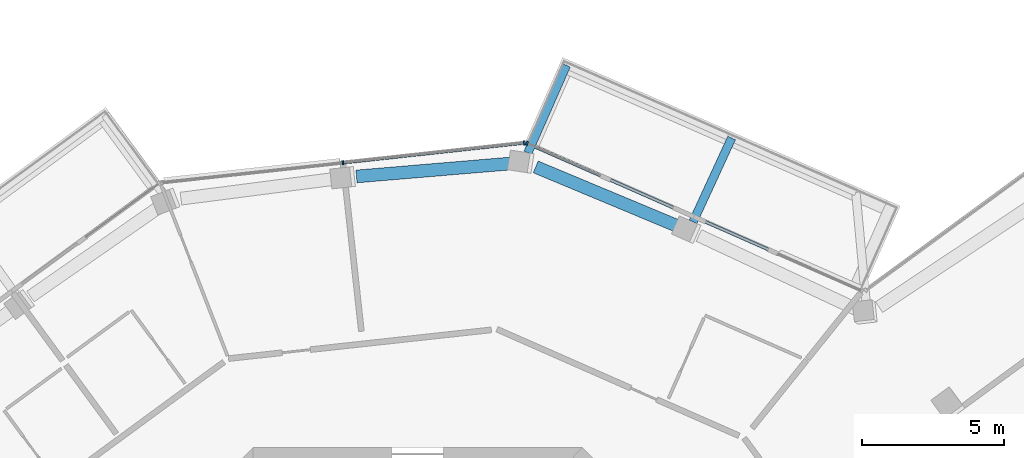
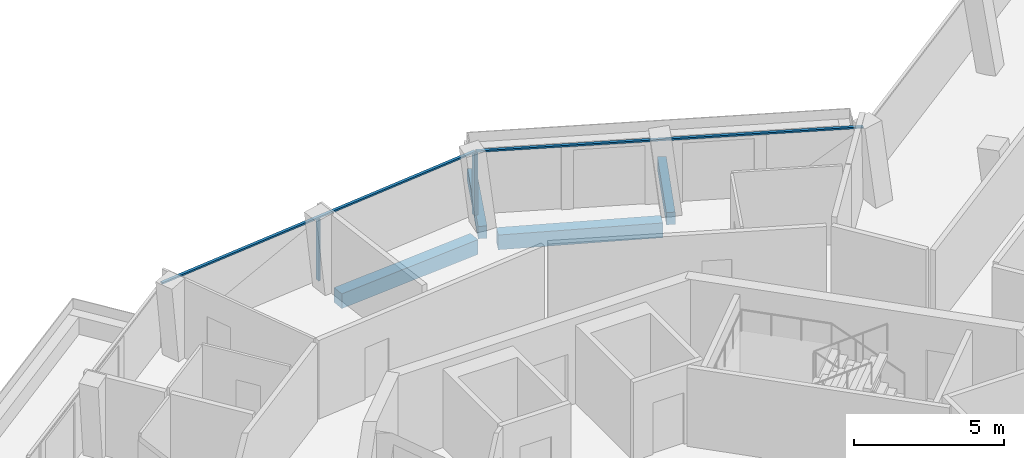
# One storey, part 8 of 24: 5 members, 4 beams, 2 elements without a shape of their own.
"""IFC4 building model written with IfcOpenShell, lengths in metres."""

from ifc_helpers import new_model, si_unit, direction, frame, origin, origin_2d, place, context, subcontext, project, spatial, rectangle, extrude, material, layer, layer_set, material_profile, profile_set, type_object, element, aggregate, save


model = new_model("IFC4")

# Units and contexts
model_context = context("Model", 3, precision=1e-05, world=origin(), true_north=direction((0.0, 1.0)))
body_context = subcontext(model_context, "Body", "Model", "MODEL_VIEW")
ifc_project = project(units=[si_unit("LENGTHUNIT", "METRE"), si_unit("AREAUNIT", "SQUARE_METRE"), si_unit("VOLUMEUNIT", "CUBIC_METRE"), si_unit("PLANEANGLEUNIT", "RADIAN"), si_unit("MASSUNIT", "GRAM", prefix="KILO")], contexts=[model_context])

# Site, building, storey
site_placement = place(None, origin())
site = spatial("IfcSite", under=ifc_project, at=site_placement, CompositionType="ELEMENT")
building_placement = place(site_placement, origin())
building = spatial("IfcBuilding", under=site, at=building_placement, Name="Verdalira Terraces Hotel", CompositionType="ELEMENT")
storey_placement = place(building_placement, frame((0.0, 0.0, 303.0)))
storey = spatial("IfcBuildingStorey", under=building, at=storey_placement, Name="L75", CompositionType="ELEMENT", Elevation=303.0)

# Beams
ifc_material_1 = material(Name="Concrete C40", Category="concrete")
ifc_material_profile_1 = material_profile(ifc_material_1, rectangle(XDim=0.300049, YDim=0.5, at=origin_2d()), Name="RC 300X500")
ifc_profile_set_1 = profile_set([ifc_material_profile_1], Name="Concrete C40")
beam_type_1 = type_object("IfcBeamType", Name="Balcony cantilever beam RC 300X500 C40", PredefinedType="BEAM", material=ifc_profile_set_1)
beam_1_placement = place(storey_placement, frame((9.710449, 21.956543, -0.560059), z_axis=(0.418172132, 0.908367804, 0.0), x_axis=(-0.908367804, 0.418172132, 0.0)))
element("IfcBeam", 1, at=beam_1_placement, inside=storey, type_object=beam_type_1, Name="Balcony cantilever beam R39-2", PredefinedType="BEAM", context=body_context, shape_type="SweptSolid", body=[
    extrude(rectangle(XDim=0.300049, YDim=0.5, at=origin_2d()), origin(), (0.0, 0.0, 1.0), 3.250732),
])
beam_2_placement = place(storey_placement, frame((3.88916, 24.388184, -0.560059), z_axis=(0.402896397, 0.915245592, 0.0), x_axis=(-0.915245592, 0.402896397, 0.0)))
element("IfcBeam", 2, at=beam_2_placement, inside=storey, type_object=beam_type_1, Name="Balcony cantilever beam R39-3", PredefinedType="BEAM", context=body_context, shape_type="SweptSolid", body=[
    extrude(rectangle(XDim=0.300049, YDim=0.5, at=origin_2d()), origin(), (0.0, 0.0, 1.0), 3.370361),
])

# Curtain wall, member
ifc_material_2 = material(Name="Clear glass", Category="glass")
ifc_layer = layer(ifc_material_2, 0.14990234375)
ifc_layer_set = layer_set([ifc_layer], Name="CW1 curtain wall")
curtain_wall_type = type_object("IfcCurtainWallType", Name="CW1 curtain wall", PredefinedType="NOTDEFINED", material=ifc_layer_set)
curtain_wall_1_placement = place(storey_placement, origin())
curtain_wall_1 = element("IfcCurtainWall", 3, at=curtain_wall_1_placement, inside=storey, type_object=curtain_wall_type, Name="CW1 curtain wall L75 edge 39", PredefinedType="NOTDEFINED")
ifc_material_3 = material(Name="Terracotta frame", Category="masonry")
ifc_material_profile_2 = material_profile(ifc_material_3, rectangle(XDim=0.060059, YDim=0.149902, at=origin_2d()), Name="MU 60x150")
ifc_profile_set_2 = profile_set([ifc_material_profile_2], Name="Terracotta frame")
member_type_1 = type_object("IfcMemberType", Name="CW1 mullion 60x150", PredefinedType="MULLION", material=ifc_profile_set_2)
member_1_placement = place(storey_placement, frame((3.858887, 24.724121, 0.0), z_axis=(0.0, 0.0, 1.0), x_axis=(-0.915241173, 0.402906436, 0.0)))
member_1 = element("IfcMember", 4, at=member_1_placement, type_object=member_type_1, Name="CW1 mullion", PredefinedType="MULLION", context=body_context, shape_type="SweptSolid", body=[
    extrude(rectangle(XDim=0.060059, YDim=0.149902, at=origin_2d()), origin(), (0.0, 0.0, 1.0), 2.524902),
])

# Curtain wall, members
curtain_wall_2_placement = place(storey_placement, origin())
curtain_wall_2 = element("IfcCurtainWall", 5, at=curtain_wall_2_placement, inside=storey, type_object=curtain_wall_type, Name="CW1 curtain wall L75 edge 40", PredefinedType="NOTDEFINED")
member_2_placement = place(storey_placement, frame((3.763184, 24.739014, 0.0), z_axis=(0.0, 0.0, 1.0), x_axis=(-0.994075324, -0.108693378, 0.0)))
member_2 = element("IfcMember", 6, at=member_2_placement, type_object=member_type_1, Name="CW1 mullion", PredefinedType="MULLION", context=body_context, shape_type="SweptSolid", body=[
    extrude(rectangle(XDim=0.060059, YDim=0.149902, at=origin_2d()), origin(), (0.0, 0.0, 1.0), 2.524902),
])
member_3_placement = place(storey_placement, frame((-2.628662, 24.040039, 0.0), z_axis=(0.0, 0.0, 1.0), x_axis=(-0.994075324, -0.108693378, 0.0)))
member_3 = element("IfcMember", 7, at=member_3_placement, type_object=member_type_1, Name="CW1 mullion", PredefinedType="MULLION", context=body_context, shape_type="SweptSolid", body=[
    extrude(rectangle(XDim=0.060059, YDim=0.149902, at=origin_2d()), origin(), (0.0, 0.0, 1.0), 2.524902),
])

# Member
ifc_material_4 = material(Name="Terracotta frame", Category="masonry")
ifc_material_profile_3 = material_profile(ifc_material_4, rectangle(XDim=0.110107, YDim=0.064941, at=origin_2d()), Name="TR 65x110")
ifc_profile_set_3 = profile_set([ifc_material_profile_3], Name="Terracotta frame")
member_type_2 = type_object("IfcMemberType", Name="CW1 transom 65x110", PredefinedType="USERDEFINED", material=ifc_profile_set_3)
member_4_placement = place(storey_placement, frame((15.692627, 19.514648, 2.557617), z_axis=(-0.91523835, 0.402912848, 0.0), x_axis=(-0.402912848, -0.91523835, 0.0)))
member_4 = element("IfcMember", 8, at=member_4_placement, type_object=member_type_2, Name="CW1 transom", ObjectType="TRANSOM", PredefinedType="USERDEFINED", context=body_context, shape_type="SweptSolid", body=[
    extrude(rectangle(XDim=0.110107, YDim=0.064941, at=origin_2d()), origin(), (0.0, 0.0, 1.0), 12.959717),
])

aggregate(curtain_wall_1, [member_1, member_4])

member_5_placement = place(storey_placement, frame((3.792969, 24.742188, 2.557617), z_axis=(-0.994075106, -0.108695371, 0.0), x_axis=(0.108695371, -0.994075106, 0.0)))
member_5 = element("IfcMember", 9, at=member_5_placement, type_object=member_type_2, Name="CW1 transom", ObjectType="TRANSOM", PredefinedType="USERDEFINED", context=body_context, shape_type="SweptSolid", body=[
    extrude(rectangle(XDim=0.110107, YDim=0.064941, at=origin_2d()), origin(), (0.0, 0.0, 1.0), 12.919678),
])

aggregate(curtain_wall_2, [member_2, member_3, member_5])

# Beams
ifc_material_5 = material(Name="Concrete C40", Category="concrete")
ifc_material_profile_4 = material_profile(ifc_material_5, rectangle(XDim=0.449951, YDim=0.600098, at=origin_2d()), Name="RC 450X600")
ifc_profile_set_4 = profile_set([ifc_material_profile_4], Name="Concrete C40")
beam_type_2 = type_object("IfcBeamType", Name="Spandrel beam RC 450X600 C40", PredefinedType="SPANDREL", material=ifc_profile_set_4)
beam_3_placement = place(storey_placement, frame((9.260742, 21.764404, -0.610107), z_axis=(-0.922845207, 0.385171032, 0.0), x_axis=(-0.385171032, -0.922845207, 0.0)))
element("IfcBeam", 10, at=beam_3_placement, inside=storey, type_object=beam_type_2, Name="Spandrel beam B25", PredefinedType="SPANDREL", context=body_context, shape_type="SweptSolid", body=[
    extrude(rectangle(XDim=0.449951, YDim=0.600098, at=origin_2d()), origin(), (0.0, 0.0, 1.0), 5.521484),
])
beam_4_placement = place(storey_placement, frame((3.353271, 24.016846, -0.610107), z_axis=(-0.996493746, -0.083667287, 0.0), x_axis=(0.083667287, -0.996493746, 0.0)))
element("IfcBeam", 11, at=beam_4_placement, inside=storey, type_object=beam_type_2, Name="Spandrel beam B26", PredefinedType="SPANDREL", context=body_context, shape_type="SweptSolid", body=[
    extrude(rectangle(XDim=0.449951, YDim=0.600098, at=origin_2d()), origin(), (0.0, 0.0, 1.0), 5.523682),
])

save(model, "model.ifc")
